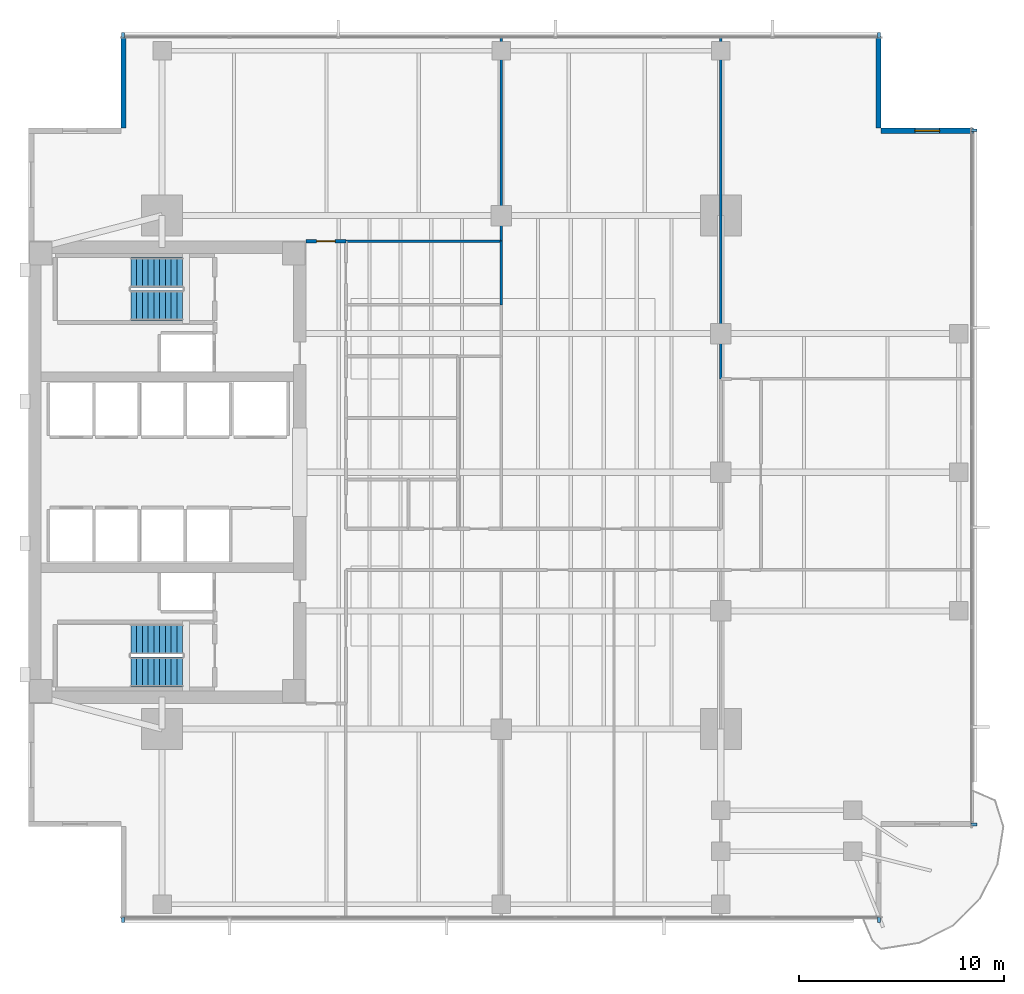
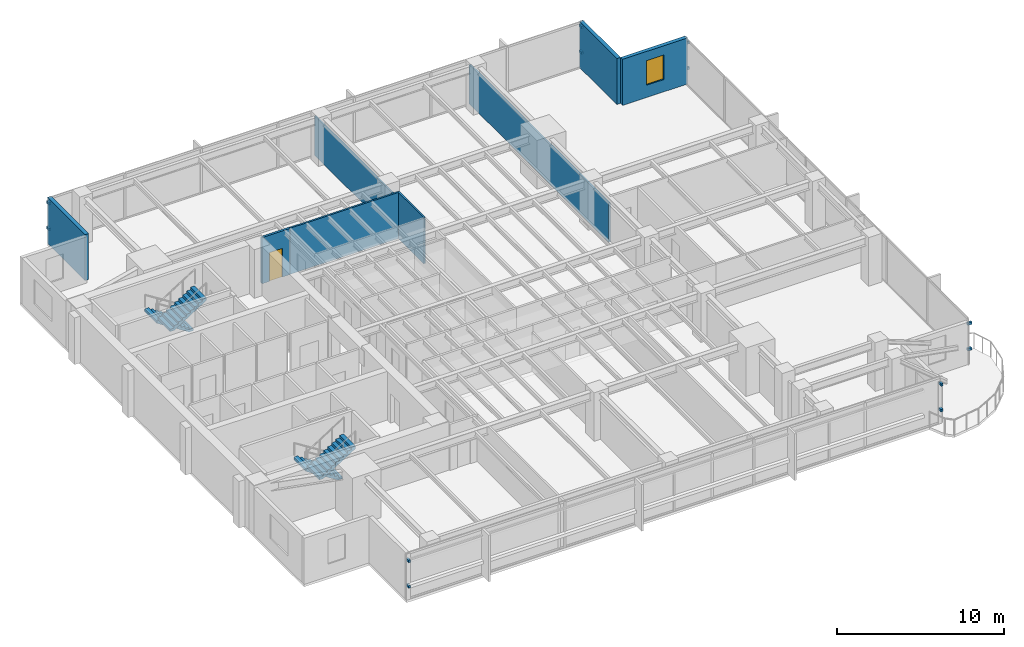
# One storey, part 10 of 15: 12 discrete accessories, 8 walls, 4 stair flights, 1 door, 1 window, 2 openings, 2 elements without a shape of their own.
"""IFC4 building model written with IfcOpenShell, lengths in metres."""

from ifc_helpers import new_model, si_unit, direction, frame, frame_2d, origin, origin_2d, place, context, subcontext, project, spatial, polyline, rectangle, outline, extrude, material, layer, layer_set, type_object, element, fill, aggregate, save


model = new_model("IFC4")

# Units and contexts
model_context = context("Model", 3, precision=1e-05, world=origin(), true_north=direction((0.0, 1.0)))
body_context = subcontext(model_context, "Body", "Model", "MODEL_VIEW")
ifc_project = project(units=[si_unit("LENGTHUNIT", "METRE"), si_unit("AREAUNIT", "SQUARE_METRE"), si_unit("VOLUMEUNIT", "CUBIC_METRE"), si_unit("PLANEANGLEUNIT", "RADIAN"), si_unit("MASSUNIT", "GRAM", prefix="KILO")], contexts=[model_context])

# Site, building, storey
site_placement = place(None, origin())
site = spatial("IfcSite", under=ifc_project, at=site_placement, CompositionType="ELEMENT")
building_placement = place(site_placement, origin())
building = spatial("IfcBuilding", under=site, at=building_placement, Name="Kinhvarn Gate Tower", CompositionType="ELEMENT")
storey_placement = place(building_placement, frame((0.0, 0.0, 105.800048828125)))
storey = spatial("IfcBuildingStorey", under=building, at=storey_placement, Name="L27", CompositionType="ELEMENT", Elevation=105.800048828125)

# Wall, opening, window
ifc_material_1 = material(Name="Fired architectural terracotta", Category="masonry")
ifc_layer_1 = layer(ifc_material_1, 0.25)
ifc_layer_set_1 = layer_set([ifc_layer_1], Name="Fired architectural terracotta")
wall_type_1 = type_object("IfcWallType", Name="WL-EXT-250", PredefinedType="SOLIDWALL", material=ifc_layer_set_1)
wall_1_placement = place(storey_placement, frame((50.5, 41.875, 0.0), z_axis=(0.0, 0.0, 1.0), x_axis=(-1.0, 0.0, 0.0)))
wall_1 = element("IfcWall", 1, at=wall_1_placement, inside=storey, type_object=wall_type_1, Name="Exterior Solidwall Wall EW-250 (L27 NE-Notch-1)", PredefinedType="SOLIDWALL", context=body_context, shape_type="SweptSolid", body=[
    extrude(rectangle(XDim=4.5, YDim=0.25, at=frame_2d((2.25, 0.0))), origin(), (0.0, 0.0, 1.0), 3.369873046875),
])
opening_1_placement = place(wall_1_placement, frame((1.64990234375, 0.0, 0.89990234375)))
opening_1 = element("IfcOpeningElement", 2, at=opening_1_placement, cuts=wall_1, Name="Opening WN-02", PredefinedType="OPENING", context=body_context, shape_type="SweptSolid", body=[
    extrude(rectangle(XDim=1.199951171875, YDim=1.800048828125, at=frame_2d((0.60009765625, 0.89990234375))), frame((0.0, 0.135009765625, 0.0), z_axis=(0.0, -1.0, 0.0), x_axis=(1.0, 0.0, 0.0)), (0.0, 0.0, 1.0), 0.27001953125),
])
ifc_material_2 = material(Name="Clear low-e double glazing", Category="glass")
window_type = type_object("IfcWindowType", Name="WIN-NTC-1200", PartitioningType="SINGLE_PANEL", PredefinedType="WINDOW", material=ifc_material_2)
window_placement = place(opening_1_placement, origin())
window = element("IfcWindow", 3, at=window_placement, inside=storey, type_object=window_type, Name="Recessed Corner Notch Punched Window 1200x1800 mm (L27)", OverallHeight=1.800048828125, OverallWidth=1.199951171875, PartitioningType="SINGLE_PANEL", PredefinedType="WINDOW", context=body_context, shape_type="SweptSolid", body=[
    extrude(rectangle(XDim=1.199951171875, YDim=1.800048828125, at=frame_2d((0.60009765625, 0.89990234375))), frame((0.0, 0.030029296875, 0.0), z_axis=(0.0, -1.0, 0.0), x_axis=(1.0, 0.0, 0.0)), (0.0, 0.0, 1.0), 0.06005859375),
])
fill(opening_1, window)

# Walls
for number, where, z_axis, x_axis, name in (
    (4, (45.875, 42.0, 0.0), (0.0, 0.0, 1.0), (0.0, 1.0, 0.0), "Exterior Solidwall Wall EW-250 (L27 NE-Notch-2)"),
    (5, (9.125, 46.5, 0.0), (0.0, 0.0, 1.0), (0.0, -1.0, 0.0), "Exterior Solidwall Wall EW-250 (L27 NW-Notch-1)"),
):
    element("IfcWall", number, at=place(storey_placement, frame(where, z_axis=z_axis, x_axis=x_axis)), inside=storey, type_object=wall_type_1, Name=name, PredefinedType="SOLIDWALL", context=body_context, shape_type="SweptSolid", body=[
        extrude(rectangle(XDim=4.5, YDim=0.25, at=frame_2d((2.25, 0.0))), origin(), (0.0, 0.0, 1.0), 3.369873046875),
    ])
ifc_material_3 = material(Name="Gypsum acoustic partition board")
ifc_layer_2 = layer(ifc_material_3, 0.1201171875)
ifc_layer_set_2 = layer_set([ifc_layer_2], Name="Gypsum acoustic partition board")
wall_type_2 = type_object("IfcWallType", Name="WL-PRT-120", PredefinedType="PARTITIONING", material=ifc_layer_set_2)
wall_2_placement = place(storey_placement, frame((19.949951171875, 36.5, 0.0), z_axis=(0.0, 0.0, 1.0), x_axis=(1.0, 0.0, 0.0)))
element("IfcWall", 6, at=wall_2_placement, inside=storey, type_object=wall_type_2, Name="Interior Partition PW-120 (L27)", PredefinedType="PARTITIONING", context=body_context, shape_type="SweptSolid", body=[
    extrude(rectangle(XDim=7.550048828125, YDim=0.1201171875, at=frame_2d((3.77490234375, 0.0))), origin(), (0.0, 0.0, 1.0), 3.369873046875),
])
wall_3_placement = place(storey_placement, frame((27.5, 33.39990234375, 0.0), z_axis=(0.0, 0.0, 1.0), x_axis=(0.0, 1.0, 0.0)))
element("IfcWall", 7, at=wall_3_placement, inside=storey, type_object=wall_type_2, Name="Interior Partition PW-120 (L27)", PredefinedType="PARTITIONING", context=body_context, shape_type="SweptSolid", body=[
    extrude(rectangle(XDim=3.10009765625, YDim=0.1201171875, at=frame_2d((1.550048828125, 0.0))), origin(), (0.0, 0.0, 1.0), 3.369873046875),
])
wall_4_placement = place(storey_placement, frame((27.5, 36.5, 0.0), z_axis=(0.0, 0.0, 1.0), x_axis=(0.0, 1.0, 0.0)))
element("IfcWall", 8, at=wall_4_placement, inside=storey, type_object=wall_type_2, Name="Interior Partition PW-120 (L27)", PredefinedType="PARTITIONING", context=body_context, shape_type="SweptSolid", body=[
    extrude(rectangle(XDim=9.989990234375, YDim=0.1201171875, at=frame_2d((4.9951171875, 0.0))), origin(), (0.0, 0.0, 1.0), 2.869873046875),
])
wall_5_placement = place(storey_placement, frame((38.199951171875, 29.800048828125, 0.0), z_axis=(0.0, 0.0, 1.0), x_axis=(0.0, 1.0, 0.0)))
element("IfcWall", 9, at=wall_5_placement, inside=storey, type_object=wall_type_2, Name="Interior Partition PW-120 (L27)", PredefinedType="PARTITIONING", context=body_context, shape_type="SweptSolid", body=[
    extrude(rectangle(XDim=16.68994140625, YDim=0.1201171875, at=frame_2d((8.344970703125, 0.0))), origin(), (0.0, 0.0, 1.0), 2.869873046875),
])

# Wall, opening, door
ifc_layer_3 = layer(ifc_material_3, 0.14990234375)
ifc_layer_set_3 = layer_set([ifc_layer_3], Name="Gypsum acoustic partition board")
wall_type_3 = type_object("IfcWallType", Name="WL-PRT-150F", PredefinedType="PARTITIONING", material=ifc_layer_set_3)
wall_6_placement = place(storey_placement, frame((18.0, 36.5, 0.0), z_axis=(0.0, 0.0, 1.0), x_axis=(1.0, 0.0, 0.0)))
wall_6 = element("IfcWall", 10, at=wall_6_placement, inside=storey, type_object=wall_type_3, Name="Interior Partition PW-150F (L27)", PredefinedType="PARTITIONING", context=body_context, shape_type="SweptSolid", body=[
    extrude(rectangle(XDim=1.949951171875, YDim=0.14990234375, at=frame_2d((0.97509765625, 0.0))), origin(), (0.0, 0.0, 1.0), 3.369873046875),
])
opening_2_placement = place(wall_6_placement, frame((0.52490234375, 0.0, 0.0)))
opening_2 = element("IfcOpeningElement", 11, at=opening_2_placement, cuts=wall_6, Name="Opening ID-03", PredefinedType="OPENING", context=body_context, shape_type="SweptSolid", body=[
    extrude(rectangle(XDim=0.89990234375, YDim=2.10009765625, at=frame_2d((0.449951171875, 1.050048828125))), frame((0.0, 0.0849609375, 0.0), z_axis=(0.0, -1.0, 0.0), x_axis=(1.0, 0.0, 0.0)), (0.0, 0.0, 1.0), 0.169921875),
])
ifc_material_4 = material(Name="Anodised aluminium AW-6063", Category="aluminium")
door_type = type_object("IfcDoorType", Name="DR-INT-900", OperationType="NOTDEFINED", PredefinedType="DOOR", material=ifc_material_4)
door_placement = place(opening_2_placement, origin())
door = element("IfcDoor", 12, at=door_placement, inside=storey, type_object=door_type, Name="Cellular Office & Restroom Door 900x2100 mm (L27)", OperationType="SINGLE_SWING_RIGHT", OverallHeight=2.10009765625, OverallWidth=0.89990234375, PredefinedType="DOOR", context=body_context, shape_type="SweptSolid", body=[
    extrude(rectangle(XDim=0.89990234375, YDim=2.10009765625, at=frame_2d((0.449951171875, 1.050048828125))), frame((0.0, 0.02490234375, 0.0), z_axis=(0.0, -1.0, 0.0), x_axis=(1.0, 0.0, 0.0)), (0.0, 0.0, 1.0), 0.050048828125),
])
fill(opening_2, door)

# Stair, stair flights
ifc_material_5 = material(Name="Concrete C40/50", Category="concrete")
stair_type = type_object("IfcStairType", Name="STR-DLG-177", PredefinedType="HALF_TURN_STAIR", material=ifc_material_5)
stair_1_placement = place(storey_placement, origin())
stair_1 = element("IfcStair", 13, at=stair_1_placement, inside=storey, type_object=stair_type, Name="L27 Core Smokeproof Exit Stair ST1", PredefinedType="HALF_TURN_STAIR")
stair_flight_type = type_object("IfcStairFlightType", Name="STF-DLG-177", PredefinedType="STRAIGHT", material=ifc_material_5)
stair_flight_1_placement = place(storey_placement, frame((12.0, 17.125, 0.0), z_axis=(0.0, 0.0, 1.0), x_axis=(-1.0, 0.0, 0.0)))
stair_flight_1 = element("IfcStairFlight", 14, at=stair_flight_1_placement, type_object=stair_flight_type, Name="ST1 flight 1", NumberOfRisers=10, NumberOfTreads=9, PredefinedType="STRAIGHT", RiserHeight=0.1775, TreadLength=0.28, context=body_context, shape_type="SweptSolid", body=[
    extrude(outline(polyline([(0.0, 0.0), (0.0, 0.177490234375), (0.280029296875, 0.177490234375), (0.280029296875, 0.35498046875), (0.56005859375, 0.35498046875), (0.56005859375, 0.532470703125), (0.840087890625, 0.532470703125), (0.840087890625, 0.7099609375), (1.1201171875, 0.7099609375), (1.1201171875, 0.887451171875), (1.39990234375, 0.887451171875), (1.39990234375, 1.06494140625), (1.679931640625, 1.06494140625), (1.679931640625, 1.242431640625), (1.9599609375, 1.242431640625), (1.9599609375, 1.419921875), (2.239990234375, 1.419921875), (2.239990234375, 1.597412109375), (2.52001953125, 1.597412109375), (2.52001953125, 1.77490234375), (2.52001953125, 1.419921875), (0.280029296875, 0.0), (0.0, 0.0)])), frame((0.0, 0.72509765625, 0.0), z_axis=(0.0, -1.0, 0.0), x_axis=(1.0, 0.0, 0.0)), (0.0, 0.0, 1.0), 1.449951171875),
])
stair_flight_2_placement = place(storey_placement, frame((9.47998046875, 15.52490234375, 1.77490234375), z_axis=(0.0, 0.0, 1.0), x_axis=(1.0, 0.0, 0.0)))
stair_flight_2 = element("IfcStairFlight", 15, at=stair_flight_2_placement, type_object=stair_flight_type, Name="ST1 flight 2", NumberOfRisers=10, NumberOfTreads=9, PredefinedType="STRAIGHT", RiserHeight=0.1775, TreadLength=0.28, context=body_context, shape_type="SweptSolid", body=[
    extrude(outline(polyline([(0.0, 0.0), (0.0, 0.177490234375), (0.280029296875, 0.177490234375), (0.280029296875, 0.35498046875), (0.56005859375, 0.35498046875), (0.56005859375, 0.532470703125), (0.840087890625, 0.532470703125), (0.840087890625, 0.7099609375), (1.1201171875, 0.7099609375), (1.1201171875, 0.887451171875), (1.39990234375, 0.887451171875), (1.39990234375, 1.06494140625), (1.679931640625, 1.06494140625), (1.679931640625, 1.242431640625), (1.9599609375, 1.242431640625), (1.9599609375, 1.419921875), (2.239990234375, 1.419921875), (2.239990234375, 1.597412109375), (2.52001953125, 1.597412109375), (2.52001953125, 1.77490234375), (2.52001953125, 1.419921875), (0.280029296875, 0.0), (0.0, 0.0)])), frame((0.0, 0.72509765625, 0.0), z_axis=(0.0, -1.0, 0.0), x_axis=(1.0, 0.0, 0.0)), (0.0, 0.0, 1.0), 1.449951171875),
])
aggregate(stair_1, [stair_flight_1, stair_flight_2])

stair_2_placement = place(storey_placement, origin())
stair_2 = element("IfcStair", 16, at=stair_2_placement, inside=storey, type_object=stair_type, Name="L27 Core Smokeproof Exit Stair ST2", PredefinedType="HALF_TURN_STAIR")
stair_flight_3_placement = place(storey_placement, frame((12.0, 34.97509765625, 0.0), z_axis=(0.0, 0.0, 1.0), x_axis=(-1.0, 0.0, 0.0)))
stair_flight_3 = element("IfcStairFlight", 17, at=stair_flight_3_placement, type_object=stair_flight_type, Name="ST2 flight 1", NumberOfRisers=10, NumberOfTreads=9, PredefinedType="STRAIGHT", RiserHeight=0.1775, TreadLength=0.28, context=body_context, shape_type="SweptSolid", body=[
    extrude(outline(polyline([(0.0, 0.0), (0.0, 0.177490234375), (0.280029296875, 0.177490234375), (0.280029296875, 0.35498046875), (0.56005859375, 0.35498046875), (0.56005859375, 0.532470703125), (0.840087890625, 0.532470703125), (0.840087890625, 0.7099609375), (1.1201171875, 0.7099609375), (1.1201171875, 0.887451171875), (1.39990234375, 0.887451171875), (1.39990234375, 1.06494140625), (1.679931640625, 1.06494140625), (1.679931640625, 1.242431640625), (1.9599609375, 1.242431640625), (1.9599609375, 1.419921875), (2.239990234375, 1.419921875), (2.239990234375, 1.597412109375), (2.52001953125, 1.597412109375), (2.52001953125, 1.77490234375), (2.52001953125, 1.419921875), (0.280029296875, 0.0), (0.0, 0.0)])), frame((0.0, 0.72509765625, 0.0), z_axis=(0.0, -1.0, 0.0), x_axis=(1.0, 0.0, 0.0)), (0.0, 0.0, 1.0), 1.449951171875),
])
stair_flight_4_placement = place(storey_placement, frame((9.47998046875, 33.375, 1.77490234375), z_axis=(0.0, 0.0, 1.0), x_axis=(1.0, 0.0, 0.0)))
stair_flight_4 = element("IfcStairFlight", 18, at=stair_flight_4_placement, type_object=stair_flight_type, Name="ST2 flight 2", NumberOfRisers=10, NumberOfTreads=9, PredefinedType="STRAIGHT", RiserHeight=0.1775, TreadLength=0.28, context=body_context, shape_type="SweptSolid", body=[
    extrude(outline(polyline([(0.0, 0.0), (0.0, 0.177490234375), (0.280029296875, 0.177490234375), (0.280029296875, 0.35498046875), (0.56005859375, 0.35498046875), (0.56005859375, 0.532470703125), (0.840087890625, 0.532470703125), (0.840087890625, 0.7099609375), (1.1201171875, 0.7099609375), (1.1201171875, 0.887451171875), (1.39990234375, 0.887451171875), (1.39990234375, 1.06494140625), (1.679931640625, 1.06494140625), (1.679931640625, 1.242431640625), (1.9599609375, 1.242431640625), (1.9599609375, 1.419921875), (2.239990234375, 1.419921875), (2.239990234375, 1.597412109375), (2.52001953125, 1.597412109375), (2.52001953125, 1.77490234375), (2.52001953125, 1.419921875), (0.280029296875, 0.0), (0.0, 0.0)])), frame((0.0, 0.72509765625, 0.0), z_axis=(0.0, -1.0, 0.0), x_axis=(1.0, 0.0, 0.0)), (0.0, 0.0, 1.0), 1.449951171875),
])
aggregate(stair_2, [stair_flight_3, stair_flight_4])

# Discrete accessories
discrete_accessory_type = type_object("IfcDiscreteAccessoryType", Name="ACC-BRK-01", PredefinedType="BRACKET", material=ifc_material_4)
for number, where, z_axis, x_axis, name in (
    (19, (9.10009765625, 3.469970703125, 0.9599609375), (0.0, 0.0, 1.0), (1.0, 0.0, 0.0), "Baguette Support Bracket BK-01 (L27)"),
    (20, (9.10009765625, 3.469970703125, 2.830078125), (0.0, 0.0, 1.0), (1.0, 0.0, 0.0), "Baguette Support Bracket BK-01 (L27)"),
    (21, (45.89990234375, 3.469970703125, 0.9599609375), (0.0, 0.0, 1.0), (1.0, 0.0, 0.0), "Baguette Support Bracket BK-01 (L27)"),
    (22, (45.89990234375, 3.469970703125, 2.830078125), (0.0, 0.0, 1.0), (1.0, 0.0, 0.0), "Baguette Support Bracket BK-01 (L27)"),
    (23, (45.89990234375, 46.530029296875, 0.9599609375), (0.0, 0.0, 1.0), (-1.0, 0.0, 0.0), "Baguette Support Bracket BK-01 (L27)"),
    (24, (45.89990234375, 46.530029296875, 2.830078125), (0.0, 0.0, 1.0), (-1.0, 0.0, 0.0), "Baguette Support Bracket BK-01 (L27)"),
    (25, (9.10009765625, 46.530029296875, 0.9599609375), (0.0, 0.0, 1.0), (-1.0, 0.0, 0.0), "Baguette Support Bracket BK-01 (L27)"),
    (26, (9.10009765625, 46.530029296875, 2.830078125), (0.0, 0.0, 1.0), (-1.0, 0.0, 0.0), "Baguette Support Bracket BK-01 (L27)"),
    (27, (50.530029296875, 8.10009765625, 0.9599609375), (0.0, 0.0, 1.0), (0.0, 1.0, 0.0), "Baguette Support Bracket BK-01 (L27)"),
    (28, (50.530029296875, 8.10009765625, 2.830078125), (0.0, 0.0, 1.0), (0.0, 1.0, 0.0), "Baguette Support Bracket BK-01 (L27)"),
    (29, (50.530029296875, 41.89990234375, 0.9599609375), (0.0, 0.0, 1.0), (0.0, 1.0, 0.0), "Baguette Support Bracket BK-01 (L27)"),
    (30, (50.530029296875, 41.89990234375, 2.830078125), (0.0, 0.0, 1.0), (0.0, 1.0, 0.0), "Baguette Support Bracket BK-01 (L27)"),
):
    element("IfcDiscreteAccessory", number, at=place(storey_placement, frame(where, z_axis=z_axis, x_axis=x_axis)), inside=storey, type_object=discrete_accessory_type, Name=name, PredefinedType="BRACKET", context=body_context, shape_type="SweptSolid", body=[
        extrude(rectangle(XDim=0.139892578125, YDim=0.280029296875, at=origin_2d()), origin(), (0.0, 0.0, 1.0), 0.179931640625),
    ])

save(model, "model.ifc")
